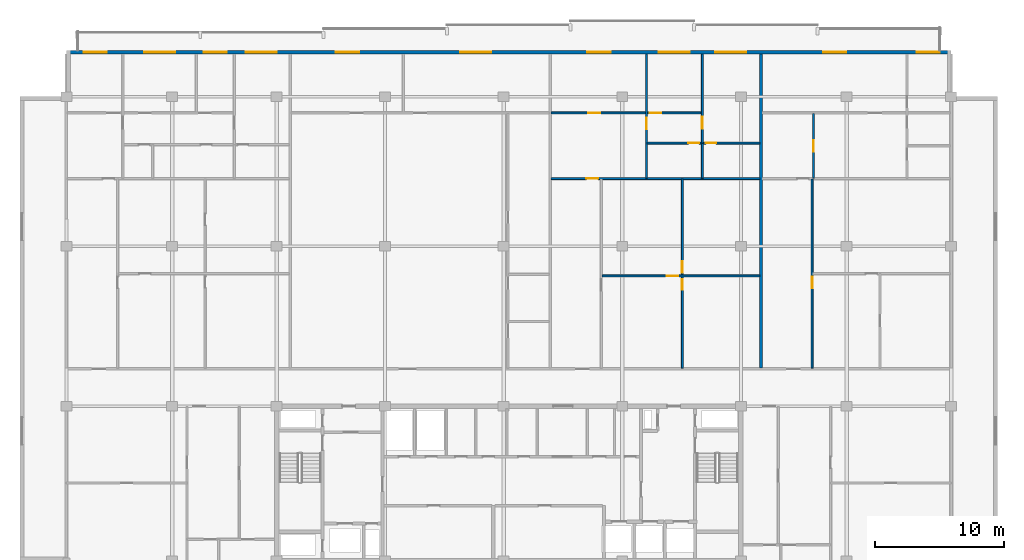
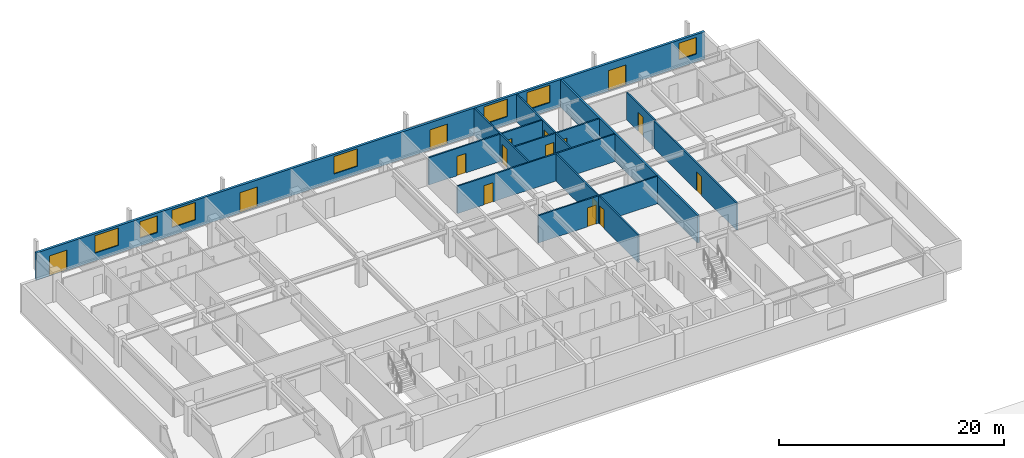
# One storey, part 8 of 11: 16 doors, 12 walls, 7 windows, 23 openings.
"""IFC4 building model written with IfcOpenShell, lengths in metres."""

from ifc_helpers import new_model, si_unit, direction, frame, frame_2d, origin, place, context, subcontext, project, spatial, rectangle, extrude, material, layer, layer_set, type_object, element, fill, save


model = new_model("IFC4")

# Units and contexts
model_context = context("Model", 3, precision=1e-05, world=origin(), true_north=direction((0.0, 1.0)))
body_context = subcontext(model_context, "Body", "Model", "MODEL_VIEW")
ifc_project = project(units=[si_unit("LENGTHUNIT", "METRE"), si_unit("AREAUNIT", "SQUARE_METRE"), si_unit("VOLUMEUNIT", "CUBIC_METRE"), si_unit("PLANEANGLEUNIT", "RADIAN"), si_unit("MASSUNIT", "GRAM", prefix="KILO")], contexts=[model_context])

# Site, building, storey
site_placement = place(None, origin())
site = spatial("IfcSite", under=ifc_project, at=site_placement, CompositionType="ELEMENT")
building_placement = place(site_placement, origin())
building = spatial("IfcBuilding", under=site, at=building_placement, Name="Korimba Cascade Residences", CompositionType="ELEMENT")
storey_placement = place(building_placement, frame((0.0, 0.0, 220.60009765625)))
storey = spatial("IfcBuildingStorey", under=building, at=storey_placement, Name="L64", CompositionType="ELEMENT", Elevation=220.60009765625)

# Wall, openings, doors, windows
ifc_material_1 = material(Name="Precast concrete C40/50", Category="concrete")
ifc_layer_1 = layer(ifc_material_1, 0.25)
ifc_layer_set_1 = layer_set([ifc_layer_1], Name="Precast concrete C40/50")
wall_type_1 = type_object("IfcWallType", Name="EW-LOG-250", PredefinedType="STANDARD", material=ifc_layer_set_1)
wall_1_placement = place(storey_placement, frame((128.39990234375, 94.64990234375, 0.0), z_axis=(0.0, 0.0, 1.0), x_axis=(-1.0, 0.0, 0.0)))
wall_1 = element("IfcWall", 1, at=wall_1_placement, inside=storey, type_object=wall_type_1, Name="L64 T1 Perimeter Stone Wall E06", PredefinedType="STANDARD", context=body_context, shape_type="SweptSolid", body=[
    extrude(rectangle(XDim=68.599853515625, YDim=0.25, at=frame_2d((34.2998046875, 0.0))), origin(), (0.0, 0.0, 1.0), 2.969970703125),
])
opening_1_placement = place(wall_1_placement, frame((60.175048828125, 0.0, 0.85009765625)))
opening_1 = element("IfcOpeningElement", 2, at=opening_1_placement, cuts=wall_1, Name="Opening W-01", PredefinedType="OPENING", context=body_context, shape_type="SweptSolid", body=[
    extrude(rectangle(XDim=2.39990234375, YDim=1.89990234375, at=frame_2d((1.199951171875, 0.949951171875))), frame((0.0, 0.135009765625, 0.0), z_axis=(0.0, -1.0, 0.0), x_axis=(1.0, 0.0, 0.0)), (0.0, 0.0, 1.0), 0.27001953125),
])
opening_2_placement = place(wall_1_placement, frame((56.152099609375, 0.0, 0.85009765625)))
opening_2 = element("IfcOpeningElement", 3, at=opening_2_placement, cuts=wall_1, Name="Opening W-02", PredefinedType="OPENING", context=body_context, shape_type="SweptSolid", body=[
    extrude(rectangle(XDim=1.800048828125, YDim=1.800048828125, at=frame_2d((0.89990234375, 0.89990234375))), frame((0.0, 0.135009765625, 0.0), z_axis=(0.0, -1.0, 0.0), x_axis=(1.0, 0.0, 0.0)), (0.0, 0.0, 1.0), 0.27001953125),
])
opening_3_placement = place(wall_1_placement, frame((65.455078125, 0.0, 0.0)))
opening_3 = element("IfcOpeningElement", 4, at=opening_3_placement, cuts=wall_1, Name="Opening D-LG1", PredefinedType="OPENING", context=body_context, shape_type="SweptSolid", body=[
    extrude(rectangle(XDim=1.800048828125, YDim=2.199951171875, at=frame_2d((0.89990234375, 1.10009765625))), frame((0.0, 0.135009765625, 0.0), z_axis=(0.0, -1.0, 0.0), x_axis=(1.0, 0.0, 0.0)), (0.0, 0.0, 1.0), 0.27001953125),
])
opening_4_placement = place(wall_1_placement, frame((52.279296875, 0.0, 0.85009765625)))
opening_4 = element("IfcOpeningElement", 5, at=opening_4_placement, cuts=wall_1, Name="Opening W-01", PredefinedType="OPENING", context=body_context, shape_type="SweptSolid", body=[
    extrude(rectangle(XDim=2.39990234375, YDim=1.89990234375, at=frame_2d((1.199951171875, 0.949951171875))), frame((0.0, 0.135009765625, 0.0), z_axis=(0.0, -1.0, 0.0), x_axis=(1.0, 0.0, 0.0)), (0.0, 0.0, 1.0), 0.27001953125),
])
opening_5_placement = place(wall_1_placement, frame((45.906982421875, 0.0, 0.0)))
opening_5 = element("IfcOpeningElement", 6, at=opening_5_placement, cuts=wall_1, Name="Opening D-LG1", PredefinedType="OPENING", context=body_context, shape_type="SweptSolid", body=[
    extrude(rectangle(XDim=1.800048828125, YDim=2.199951171875, at=frame_2d((0.89990234375, 1.10009765625))), frame((0.0, 0.135009765625, 0.0), z_axis=(0.0, -1.0, 0.0), x_axis=(1.0, 0.0, 0.0)), (0.0, 0.0, 1.0), 0.27001953125),
])
opening_6_placement = place(wall_1_placement, frame((35.6474609375, 0.0, 0.85009765625)))
opening_6 = element("IfcOpeningElement", 7, at=opening_6_placement, cuts=wall_1, Name="Opening W-01", PredefinedType="OPENING", context=body_context, shape_type="SweptSolid", body=[
    extrude(rectangle(XDim=2.39990234375, YDim=1.89990234375, at=frame_2d((1.199951171875, 0.949951171875))), frame((0.0, 0.135009765625, 0.0), z_axis=(0.0, -1.0, 0.0), x_axis=(1.0, 0.0, 0.0)), (0.0, 0.0, 1.0), 0.27001953125),
])
opening_7_placement = place(wall_1_placement, frame((20.2568359375, 0.0, 0.85009765625)))
opening_7 = element("IfcOpeningElement", 8, at=opening_7_placement, cuts=wall_1, Name="Opening W-01", PredefinedType="OPENING", context=body_context, shape_type="SweptSolid", body=[
    extrude(rectangle(XDim=2.39990234375, YDim=1.89990234375, at=frame_2d((1.199951171875, 0.949951171875))), frame((0.0, 0.135009765625, 0.0), z_axis=(0.0, -1.0, 0.0), x_axis=(1.0, 0.0, 0.0)), (0.0, 0.0, 1.0), 0.27001953125),
])
opening_8_placement = place(wall_1_placement, frame((26.397705078125, 0.0, 0.0)))
opening_8 = element("IfcOpeningElement", 9, at=opening_8_placement, cuts=wall_1, Name="Opening D-LG1", PredefinedType="OPENING", context=body_context, shape_type="SweptSolid", body=[
    extrude(rectangle(XDim=1.800048828125, YDim=2.199951171875, at=frame_2d((0.89990234375, 1.10009765625))), frame((0.0, 0.135009765625, 0.0), z_axis=(0.0, -1.0, 0.0), x_axis=(1.0, 0.0, 0.0)), (0.0, 0.0, 1.0), 0.27001953125),
])
opening_9_placement = place(wall_1_placement, frame((15.87890625, 0.0, 0.85009765625)))
opening_9 = element("IfcOpeningElement", 10, at=opening_9_placement, cuts=wall_1, Name="Opening W-01", PredefinedType="OPENING", context=body_context, shape_type="SweptSolid", body=[
    extrude(rectangle(XDim=2.39990234375, YDim=1.89990234375, at=frame_2d((1.199951171875, 0.949951171875))), frame((0.0, 0.135009765625, 0.0), z_axis=(0.0, -1.0, 0.0), x_axis=(1.0, 0.0, 0.0)), (0.0, 0.0, 1.0), 0.27001953125),
])
opening_10_placement = place(wall_1_placement, frame((8.121826171875, 0.0, 0.0)))
opening_10 = element("IfcOpeningElement", 11, at=opening_10_placement, cuts=wall_1, Name="Opening D-LG1", PredefinedType="OPENING", context=body_context, shape_type="SweptSolid", body=[
    extrude(rectangle(XDim=1.800048828125, YDim=2.199951171875, at=frame_2d((0.89990234375, 1.10009765625))), frame((0.0, 0.135009765625, 0.0), z_axis=(0.0, -1.0, 0.0), x_axis=(1.0, 0.0, 0.0)), (0.0, 0.0, 1.0), 0.27001953125),
])
opening_11_placement = place(wall_1_placement, frame((0.8701171875, 0.0, 0.85009765625)))
opening_11 = element("IfcOpeningElement", 12, at=opening_11_placement, cuts=wall_1, Name="Opening W-02", PredefinedType="OPENING", context=body_context, shape_type="SweptSolid", body=[
    extrude(rectangle(XDim=1.800048828125, YDim=1.800048828125, at=frame_2d((0.89990234375, 0.89990234375))), frame((0.0, 0.135009765625, 0.0), z_axis=(0.0, -1.0, 0.0), x_axis=(1.0, 0.0, 0.0)), (0.0, 0.0, 1.0), 0.27001953125),
])
ifc_material_2 = material(Name="Glazed Aluminium Loggia Sliding Door", Category="aluminium")
door_type_1 = type_object("IfcDoorType", Name="DR-EXT-LOG", OperationType="NOTDEFINED", PredefinedType="DOOR", material=ifc_material_2)
door_1_placement = place(opening_3_placement, origin())
door_1 = element("IfcDoor", 13, at=door_1_placement, inside=storey, type_object=door_type_1, Name="L64 T1 Loggia Sliding Door 5", OperationType="SLIDING_TO_LEFT", OverallHeight=2.199951171875, OverallWidth=1.800048828125, PredefinedType="DOOR", context=body_context, shape_type="SweptSolid", body=[
    extrude(rectangle(XDim=1.800048828125, YDim=2.199951171875, at=frame_2d((0.89990234375, 1.10009765625))), frame((0.0, 0.02490234375, 0.0), z_axis=(0.0, -1.0, 0.0), x_axis=(1.0, 0.0, 0.0)), (0.0, 0.0, 1.0), 0.050048828125),
])
fill(opening_3, door_1)
door_2_placement = place(opening_5_placement, origin())
door_2 = element("IfcDoor", 14, at=door_2_placement, inside=storey, type_object=door_type_1, Name="L64 T1 Loggia Sliding Door 7", OperationType="SLIDING_TO_LEFT", OverallHeight=2.199951171875, OverallWidth=1.800048828125, PredefinedType="DOOR", context=body_context, shape_type="SweptSolid", body=[
    extrude(rectangle(XDim=1.800048828125, YDim=2.199951171875, at=frame_2d((0.89990234375, 1.10009765625))), frame((0.0, 0.02490234375, 0.0), z_axis=(0.0, -1.0, 0.0), x_axis=(1.0, 0.0, 0.0)), (0.0, 0.0, 1.0), 0.050048828125),
])
fill(opening_5, door_2)
door_3_placement = place(opening_8_placement, origin())
door_3 = element("IfcDoor", 15, at=door_3_placement, inside=storey, type_object=door_type_1, Name="L64 T1 Loggia Sliding Door 10", OperationType="SLIDING_TO_LEFT", OverallHeight=2.199951171875, OverallWidth=1.800048828125, PredefinedType="DOOR", context=body_context, shape_type="SweptSolid", body=[
    extrude(rectangle(XDim=1.800048828125, YDim=2.199951171875, at=frame_2d((0.89990234375, 1.10009765625))), frame((0.0, 0.02490234375, 0.0), z_axis=(0.0, -1.0, 0.0), x_axis=(1.0, 0.0, 0.0)), (0.0, 0.0, 1.0), 0.050048828125),
])
fill(opening_8, door_3)
door_4_placement = place(opening_10_placement, origin())
door_4 = element("IfcDoor", 16, at=door_4_placement, inside=storey, type_object=door_type_1, Name="L64 T1 Loggia Sliding Door 12", OperationType="SLIDING_TO_LEFT", OverallHeight=2.199951171875, OverallWidth=1.800048828125, PredefinedType="DOOR", context=body_context, shape_type="SweptSolid", body=[
    extrude(rectangle(XDim=1.800048828125, YDim=2.199951171875, at=frame_2d((0.89990234375, 1.10009765625))), frame((0.0, 0.02490234375, 0.0), z_axis=(0.0, -1.0, 0.0), x_axis=(1.0, 0.0, 0.0)), (0.0, 0.0, 1.0), 0.050048828125),
])
fill(opening_10, door_4)
ifc_material_3 = material(Name="Double-Glazed Aluminium Window", Category="aluminium")
window_type_1 = type_object("IfcWindowType", Name="WIN-BED-1800", PartitioningType="SINGLE_PANEL", PredefinedType="WINDOW", material=ifc_material_3)
window_1_placement = place(opening_2_placement, origin())
window_1 = element("IfcWindow", 17, at=window_1_placement, inside=storey, type_object=window_type_1, Name="L64 T1 North Facade Window 4", OverallHeight=1.800048828125, OverallWidth=1.800048828125, PartitioningType="SINGLE_PANEL", PredefinedType="WINDOW", context=body_context, shape_type="SweptSolid", body=[
    extrude(rectangle(XDim=1.800048828125, YDim=1.800048828125, at=frame_2d((0.89990234375, 0.89990234375))), frame((0.0, 0.030029296875, 0.0), z_axis=(0.0, -1.0, 0.0), x_axis=(1.0, 0.0, 0.0)), (0.0, 0.0, 1.0), 0.06005859375),
])
fill(opening_2, window_1)
window_2_placement = place(opening_11_placement, origin())
window_2 = element("IfcWindow", 18, at=window_2_placement, inside=storey, type_object=window_type_1, Name="L64 T1 North Facade Window 13", OverallHeight=1.800048828125, OverallWidth=1.800048828125, PartitioningType="SINGLE_PANEL", PredefinedType="WINDOW", context=body_context, shape_type="SweptSolid", body=[
    extrude(rectangle(XDim=1.800048828125, YDim=1.800048828125, at=frame_2d((0.89990234375, 0.89990234375))), frame((0.0, 0.030029296875, 0.0), z_axis=(0.0, -1.0, 0.0), x_axis=(1.0, 0.0, 0.0)), (0.0, 0.0, 1.0), 0.06005859375),
])
fill(opening_11, window_2)
window_type_2 = type_object("IfcWindowType", Name="WIN-RES-2400", PartitioningType="DOUBLE_PANEL_VERTICAL", PredefinedType="WINDOW", material=ifc_material_3)
window_3_placement = place(opening_1_placement, origin())
window_3 = element("IfcWindow", 19, at=window_3_placement, inside=storey, type_object=window_type_2, Name="L64 T1 North Facade Window 3", OverallHeight=1.89990234375, OverallWidth=2.39990234375, PartitioningType="DOUBLE_PANEL_VERTICAL", PredefinedType="WINDOW", context=body_context, shape_type="SweptSolid", body=[
    extrude(rectangle(XDim=2.39990234375, YDim=1.89990234375, at=frame_2d((1.199951171875, 0.949951171875))), frame((0.0, 0.030029296875, 0.0), z_axis=(0.0, -1.0, 0.0), x_axis=(1.0, 0.0, 0.0)), (0.0, 0.0, 1.0), 0.06005859375),
])
fill(opening_1, window_3)
window_4_placement = place(opening_4_placement, origin())
window_4 = element("IfcWindow", 20, at=window_4_placement, inside=storey, type_object=window_type_2, Name="L64 T1 North Facade Window 6", OverallHeight=1.89990234375, OverallWidth=2.39990234375, PartitioningType="DOUBLE_PANEL_VERTICAL", PredefinedType="WINDOW", context=body_context, shape_type="SweptSolid", body=[
    extrude(rectangle(XDim=2.39990234375, YDim=1.89990234375, at=frame_2d((1.199951171875, 0.949951171875))), frame((0.0, 0.030029296875, 0.0), z_axis=(0.0, -1.0, 0.0), x_axis=(1.0, 0.0, 0.0)), (0.0, 0.0, 1.0), 0.06005859375),
])
fill(opening_4, window_4)
window_5_placement = place(opening_6_placement, origin())
window_5 = element("IfcWindow", 21, at=window_5_placement, inside=storey, type_object=window_type_2, Name="L64 T1 North Facade Window 8", OverallHeight=1.89990234375, OverallWidth=2.39990234375, PartitioningType="DOUBLE_PANEL_VERTICAL", PredefinedType="WINDOW", context=body_context, shape_type="SweptSolid", body=[
    extrude(rectangle(XDim=2.39990234375, YDim=1.89990234375, at=frame_2d((1.199951171875, 0.949951171875))), frame((0.0, 0.030029296875, 0.0), z_axis=(0.0, -1.0, 0.0), x_axis=(1.0, 0.0, 0.0)), (0.0, 0.0, 1.0), 0.06005859375),
])
fill(opening_6, window_5)
window_6_placement = place(opening_7_placement, origin())
window_6 = element("IfcWindow", 22, at=window_6_placement, inside=storey, type_object=window_type_2, Name="L64 T1 North Facade Window 9", OverallHeight=1.89990234375, OverallWidth=2.39990234375, PartitioningType="DOUBLE_PANEL_VERTICAL", PredefinedType="WINDOW", context=body_context, shape_type="SweptSolid", body=[
    extrude(rectangle(XDim=2.39990234375, YDim=1.89990234375, at=frame_2d((1.199951171875, 0.949951171875))), frame((0.0, 0.030029296875, 0.0), z_axis=(0.0, -1.0, 0.0), x_axis=(1.0, 0.0, 0.0)), (0.0, 0.0, 1.0), 0.06005859375),
])
fill(opening_7, window_6)
window_7_placement = place(opening_9_placement, origin())
window_7 = element("IfcWindow", 23, at=window_7_placement, inside=storey, type_object=window_type_2, Name="L64 T1 North Facade Window 11", OverallHeight=1.89990234375, OverallWidth=2.39990234375, PartitioningType="DOUBLE_PANEL_VERTICAL", PredefinedType="WINDOW", context=body_context, shape_type="SweptSolid", body=[
    extrude(rectangle(XDim=2.39990234375, YDim=1.89990234375, at=frame_2d((1.199951171875, 0.949951171875))), frame((0.0, 0.030029296875, 0.0), z_axis=(0.0, -1.0, 0.0), x_axis=(1.0, 0.0, 0.0)), (0.0, 0.0, 1.0), 0.06005859375),
])
fill(opening_9, window_7)

# Wall
ifc_layer_2 = layer(ifc_material_1, 0.199951171875)
ifc_layer_set_2 = layer_set([ifc_layer_2], Name="Precast concrete C40/50")
wall_type_2 = type_object("IfcWallType", Name="WAL-IT-200", PredefinedType="PARTITIONING", material=ifc_layer_set_2)
wall_2_placement = place(storey_placement, frame((113.65625, 70.179931640625, 0.0), z_axis=(0.0, 0.0, 1.0), x_axis=(0.0, 1.0, 0.0)))
element("IfcWall", 24, at=wall_2_placement, inside=storey, type_object=wall_type_2, Name="L64 Partition Wall WAL-L64-T1-DEM-3", PredefinedType="PARTITIONING", context=body_context, shape_type="SweptSolid", body=[
    extrude(rectangle(XDim=24.320068359375, YDim=0.199951171875, at=frame_2d((12.16015625, 0.0))), origin(), (0.0, 0.0, 1.0), 2.969970703125),
])

# Wall, openings, doors
ifc_material_4 = material(Name="Insulated Acoustic Stud Partition", Category="gypsum")
ifc_layer_3 = layer(ifc_material_4, 0.14990234375)
ifc_layer_set_3 = layer_set([ifc_layer_3], Name="Insulated Acoustic Stud Partition")
wall_type_3 = type_object("IfcWallType", Name="WAL-PART-150", PredefinedType="PARTITIONING", material=ifc_layer_set_3)
wall_3_placement = place(storey_placement, frame((107.555419921875, 70.159912109375, 0.0), z_axis=(0.0, 0.0, 1.0), x_axis=(0.0, 1.0, 0.0)))
wall_3 = element("IfcWall", 25, at=wall_3_placement, inside=storey, type_object=wall_type_3, Name="L64 Partition Wall WAL-L64-T1-U03-FMV", PredefinedType="PARTITIONING", context=body_context, shape_type="SweptSolid", body=[
    extrude(rectangle(XDim=14.650146484375, YDim=0.14990234375, at=frame_2d((7.3251953125, 0.0))), origin(), (0.0, 0.0, 1.0), 2.969970703125),
])
opening_12_placement = place(wall_3_placement, frame((6.054931640625, 0.0, 0.0)))
opening_12 = element("IfcOpeningElement", 26, at=opening_12_placement, cuts=wall_3, Name="Opening D-BT1", PredefinedType="OPENING", context=body_context, shape_type="SweptSolid", body=[
    extrude(rectangle(XDim=0.840087890625, YDim=2.0400390625, at=frame_2d((0.419921875, 1.02001953125))), frame((0.0, 0.0849609375, 0.0), z_axis=(0.0, -1.0, 0.0), x_axis=(1.0, 0.0, 0.0)), (0.0, 0.0, 1.0), 0.169921875),
])
opening_13_placement = place(wall_3_placement, frame((7.39501953125, 0.0, 0.0)))
opening_13 = element("IfcOpeningElement", 27, at=opening_13_placement, cuts=wall_3, Name="Opening D-IN2", PredefinedType="OPENING", context=body_context, shape_type="SweptSolid", body=[
    extrude(rectangle(XDim=0.8798828125, YDim=2.06005859375, at=frame_2d((0.43994140625, 1.030029296875))), frame((0.0, 0.0849609375, 0.0), z_axis=(0.0, -1.0, 0.0), x_axis=(1.0, 0.0, 0.0)), (0.0, 0.0, 1.0), 0.169921875),
])
ifc_material_5 = material(Name="Moisture-Resistant Bathroom Timber Door", Category="wood")
door_type_2 = type_object("IfcDoorType", Name="DR-INT-850", OperationType="NOTDEFINED", PredefinedType="DOOR", material=ifc_material_5)
door_5_placement = place(opening_12_placement, origin())
door_5 = element("IfcDoor", 28, at=door_5_placement, inside=storey, type_object=door_type_2, Name="L64-T1-U03 Wardrobe Door", OperationType="SINGLE_SWING_LEFT", OverallHeight=2.0400390625, OverallWidth=0.840087890625, PredefinedType="DOOR", context=body_context, shape_type="SweptSolid", body=[
    extrude(rectangle(XDim=0.840087890625, YDim=2.0400390625, at=frame_2d((0.419921875, 1.02001953125))), frame((0.0, 0.02490234375, 0.0), z_axis=(0.0, -1.0, 0.0), x_axis=(1.0, 0.0, 0.0)), (0.0, 0.0, 1.0), 0.050048828125),
])
fill(opening_12, door_5)
ifc_material_6 = material(Name="Acoustic Timber Bedroom Door", Category="wood")
door_type_3 = type_object("IfcDoorType", Name="DR-INT-880", OperationType="NOTDEFINED", PredefinedType="DOOR", material=ifc_material_6)
door_6_placement = place(opening_13_placement, origin())
door_6 = element("IfcDoor", 29, at=door_6_placement, inside=storey, type_object=door_type_3, Name="L64-T1-U03 Music Lounge Door", OperationType="SINGLE_SWING_RIGHT", OverallHeight=2.06005859375, OverallWidth=0.8798828125, PredefinedType="DOOR", context=body_context, shape_type="SweptSolid", body=[
    extrude(rectangle(XDim=0.8798828125, YDim=2.06005859375, at=frame_2d((0.43994140625, 1.030029296875))), frame((0.0, 0.02490234375, 0.0), z_axis=(0.0, -1.0, 0.0), x_axis=(1.0, 0.0, 0.0)), (0.0, 0.0, 1.0), 0.050048828125),
])
fill(opening_13, door_6)

# Wall, opening, door
wall_4_placement = place(storey_placement, frame((101.334716796875, 77.304931640625, 0.0), z_axis=(0.0, 0.0, 1.0), x_axis=(1.0, 0.0, 0.0)))
wall_4 = element("IfcWall", 30, at=wall_4_placement, inside=storey, type_object=wall_type_3, Name="L64 Partition Wall WAL-L64-T1-U03-FMH", PredefinedType="PARTITIONING", context=body_context, shape_type="SweptSolid", body=[
    extrude(rectangle(XDim=12.241455078125, YDim=0.14990234375, at=frame_2d((6.12060546875, 0.0))), origin(), (0.0, 0.0, 1.0), 2.969970703125),
])
opening_14_placement = place(wall_4_placement, frame((5.025390625, 0.0, 0.0)))
opening_14 = element("IfcOpeningElement", 31, at=opening_14_placement, cuts=wall_4, Name="Opening D-IN2", PredefinedType="OPENING", context=body_context, shape_type="SweptSolid", body=[
    extrude(rectangle(XDim=0.8798828125, YDim=2.06005859375, at=frame_2d((0.43994140625, 1.030029296875))), frame((0.0, 0.0849609375, 0.0), z_axis=(0.0, -1.0, 0.0), x_axis=(1.0, 0.0, 0.0)), (0.0, 0.0, 1.0), 0.169921875),
])
door_7_placement = place(opening_14_placement, origin())
door_7 = element("IfcDoor", 32, at=door_7_placement, inside=storey, type_object=door_type_3, Name="L64-T1-U03 Library Salon Door", OperationType="SINGLE_SWING_LEFT", OverallHeight=2.06005859375, OverallWidth=0.8798828125, PredefinedType="DOOR", context=body_context, shape_type="SweptSolid", body=[
    extrude(rectangle(XDim=0.8798828125, YDim=2.06005859375, at=frame_2d((0.43994140625, 1.030029296875))), frame((0.0, 0.02490234375, 0.0), z_axis=(0.0, -1.0, 0.0), x_axis=(1.0, 0.0, 0.0)), (0.0, 0.0, 1.0), 0.050048828125),
])
fill(opening_14, door_7)

wall_5_placement = place(storey_placement, frame((104.780029296875, 84.889892578125, 0.0), z_axis=(0.0, 0.0, 1.0), x_axis=(0.0, 1.0, 0.0)))
wall_5 = element("IfcWall", 33, at=wall_5_placement, inside=storey, type_object=wall_type_3, Name="L64 Partition Wall WAL-L64-T1-U03-V1", PredefinedType="PARTITIONING", context=body_context, shape_type="SweptSolid", body=[
    extrude(rectangle(XDim=9.610107421875, YDim=0.14990234375, at=frame_2d((4.80517578125, 0.0))), origin(), (0.0, 0.0, 1.0), 2.969970703125),
])
opening_15_placement = place(wall_5_placement, frame((3.770263671875, 0.0, 0.0)))
opening_15 = element("IfcOpeningElement", 34, at=opening_15_placement, cuts=wall_5, Name="Opening D-IN1", PredefinedType="OPENING", context=body_context, shape_type="SweptSolid", body=[
    extrude(rectangle(XDim=0.919921875, YDim=2.080078125, at=frame_2d((0.4599609375, 1.0400390625))), frame((0.0, 0.0849609375, 0.0), z_axis=(0.0, -1.0, 0.0), x_axis=(1.0, 0.0, 0.0)), (0.0, 0.0, 1.0), 0.169921875),
])
ifc_material_7 = material(Name="Acoustic Timber Living Door", Category="wood")
door_type_4 = type_object("IfcDoorType", Name="DR-INT-920", OperationType="NOTDEFINED", PredefinedType="DOOR", material=ifc_material_7)
door_8_placement = place(opening_15_placement, origin())
door_8 = element("IfcDoor", 35, at=door_8_placement, inside=storey, type_object=door_type_4, Name="L64-T1-U03 Hallway Door", OperationType="SINGLE_SWING_LEFT", OverallHeight=2.080078125, OverallWidth=0.919921875, PredefinedType="DOOR", context=body_context, shape_type="SweptSolid", body=[
    extrude(rectangle(XDim=0.919921875, YDim=2.080078125, at=frame_2d((0.4599609375, 1.0400390625))), frame((0.0, 0.02490234375, 0.0), z_axis=(0.0, -1.0, 0.0), x_axis=(1.0, 0.0, 0.0)), (0.0, 0.0, 1.0), 0.050048828125),
])
fill(opening_15, door_8)

# Wall
wall_6_placement = place(storey_placement, frame((109.106201171875, 84.889892578125, 0.0), z_axis=(0.0, 0.0, 1.0), x_axis=(0.0, 1.0, 0.0)))
element("IfcWall", 36, at=wall_6_placement, inside=storey, type_object=wall_type_3, Name="L64 Partition Wall WAL-L64-T1-U03-VBATH", PredefinedType="PARTITIONING", context=body_context, shape_type="SweptSolid", body=[
    extrude(rectangle(XDim=2.690185546875, YDim=0.14990234375, at=frame_2d((1.34521484375, 0.0))), origin(), (0.0, 0.0, 1.0), 2.969970703125),
])

# Wall, opening, door
wall_7_placement = place(storey_placement, frame((109.106201171875, 87.6201171875, 0.0), z_axis=(0.0, 0.0, 1.0), x_axis=(0.0, 1.0, 0.0)))
wall_7 = element("IfcWall", 37, at=wall_7_placement, inside=storey, type_object=wall_type_3, Name="L64 Partition Wall WAL-L64-T1-U03-V2FULL", PredefinedType="PARTITIONING", context=body_context, shape_type="SweptSolid", body=[
    extrude(rectangle(XDim=6.8798828125, YDim=0.14990234375, at=frame_2d((3.43994140625, 0.0))), origin(), (0.0, 0.0, 1.0), 2.969970703125),
])
opening_16_placement = place(wall_7_placement, frame((1.090087890625, 0.0, 0.0)))
opening_16 = element("IfcOpeningElement", 38, at=opening_16_placement, cuts=wall_7, Name="Opening D-IN1", PredefinedType="OPENING", context=body_context, shape_type="SweptSolid", body=[
    extrude(rectangle(XDim=0.919921875, YDim=2.080078125, at=frame_2d((0.4599609375, 1.0400390625))), frame((0.0, 0.0849609375, 0.0), z_axis=(0.0, -1.0, 0.0), x_axis=(1.0, 0.0, 0.0)), (0.0, 0.0, 1.0), 0.169921875),
])
door_9_placement = place(opening_16_placement, origin())
door_9 = element("IfcDoor", 39, at=door_9_placement, inside=storey, type_object=door_type_4, Name="L64-T1-U03 Master Bedroom Door", OperationType="SINGLE_SWING_RIGHT", OverallHeight=2.080078125, OverallWidth=0.919921875, PredefinedType="DOOR", context=body_context, shape_type="SweptSolid", body=[
    extrude(rectangle(XDim=0.919921875, YDim=2.080078125, at=frame_2d((0.4599609375, 1.0400390625))), frame((0.0, 0.02490234375, 0.0), z_axis=(0.0, -1.0, 0.0), x_axis=(1.0, 0.0, 0.0)), (0.0, 0.0, 1.0), 0.050048828125),
])
fill(opening_16, door_9)

# Wall, openings, doors
wall_8_placement = place(storey_placement, frame((104.820068359375, 87.60009765625, 0.0), z_axis=(0.0, 0.0, 1.0), x_axis=(1.0, 0.0, 0.0)))
wall_8 = element("IfcWall", 40, at=wall_8_placement, inside=storey, type_object=wall_type_3, Name="L64 Partition Wall WAL-L64-T1-U03-HWALL", PredefinedType="PARTITIONING", context=body_context, shape_type="SweptSolid", body=[
    extrude(rectangle(XDim=8.756103515625, YDim=0.14990234375, at=frame_2d((4.3779296875, 0.0))), origin(), (0.0, 0.0, 1.0), 2.969970703125),
])
opening_17_placement = place(wall_8_placement, frame((3.1962890625, 0.0, 0.0)))
opening_17 = element("IfcOpeningElement", 41, at=opening_17_placement, cuts=wall_8, Name="Opening D-BT1", PredefinedType="OPENING", context=body_context, shape_type="SweptSolid", body=[
    extrude(rectangle(XDim=0.840087890625, YDim=2.0400390625, at=frame_2d((0.419921875, 1.02001953125))), frame((0.0, 0.0849609375, 0.0), z_axis=(0.0, -1.0, 0.0), x_axis=(1.0, 0.0, 0.0)), (0.0, 0.0, 1.0), 0.169921875),
])
opening_18_placement = place(wall_8_placement, frame((4.5361328125, 0.0, 0.0)))
opening_18 = element("IfcOpeningElement", 42, at=opening_18_placement, cuts=wall_8, Name="Opening D-BT1", PredefinedType="OPENING", context=body_context, shape_type="SweptSolid", body=[
    extrude(rectangle(XDim=0.840087890625, YDim=2.0400390625, at=frame_2d((0.419921875, 1.02001953125))), frame((0.0, 0.0849609375, 0.0), z_axis=(0.0, -1.0, 0.0), x_axis=(1.0, 0.0, 0.0)), (0.0, 0.0, 1.0), 0.169921875),
])
door_10_placement = place(opening_17_placement, origin())
door_10 = element("IfcDoor", 43, at=door_10_placement, inside=storey, type_object=door_type_2, Name="L64-T1-U03 Family Bathroom Door", OperationType="SINGLE_SWING_LEFT", OverallHeight=2.0400390625, OverallWidth=0.840087890625, PredefinedType="DOOR", context=body_context, shape_type="SweptSolid", body=[
    extrude(rectangle(XDim=0.840087890625, YDim=2.0400390625, at=frame_2d((0.419921875, 1.02001953125))), frame((0.0, 0.02490234375, 0.0), z_axis=(0.0, -1.0, 0.0), x_axis=(1.0, 0.0, 0.0)), (0.0, 0.0, 1.0), 0.050048828125),
])
fill(opening_17, door_10)
door_11_placement = place(opening_18_placement, origin())
door_11 = element("IfcDoor", 44, at=door_11_placement, inside=storey, type_object=door_type_2, Name="L64-T1-U03 En-Suite Door", OperationType="SINGLE_SWING_RIGHT", OverallHeight=2.0400390625, OverallWidth=0.840087890625, PredefinedType="DOOR", context=body_context, shape_type="SweptSolid", body=[
    extrude(rectangle(XDim=0.840087890625, YDim=2.0400390625, at=frame_2d((0.419921875, 1.02001953125))), frame((0.0, 0.02490234375, 0.0), z_axis=(0.0, -1.0, 0.0), x_axis=(1.0, 0.0, 0.0)), (0.0, 0.0, 1.0), 0.050048828125),
])
fill(opening_18, door_11)

# Wall, opening, door
wall_9_placement = place(storey_placement, frame((97.384765625, 84.85009765625, 0.0), z_axis=(0.0, 0.0, 1.0), x_axis=(1.0, 0.0, 0.0)))
wall_9 = element("IfcWall", 45, at=wall_9_placement, inside=storey, type_object=wall_type_3, Name="L64 Partition Wall WAL-L64-T1-U03-MW", PredefinedType="PARTITIONING", context=body_context, shape_type="SweptSolid", body=[
    extrude(rectangle(XDim=16.19140625, YDim=0.14990234375, at=frame_2d((8.095703125, 0.0))), origin(), (0.0, 0.0, 1.0), 2.969970703125),
])
opening_19_placement = place(wall_9_placement, frame((2.719970703125, 0.0, 0.0)))
opening_19 = element("IfcOpeningElement", 46, at=opening_19_placement, cuts=wall_9, Name="Opening D-IN1", PredefinedType="OPENING", context=body_context, shape_type="SweptSolid", body=[
    extrude(rectangle(XDim=0.919921875, YDim=2.080078125, at=frame_2d((0.4599609375, 1.0400390625))), frame((0.0, 0.0849609375, 0.0), z_axis=(0.0, -1.0, 0.0), x_axis=(1.0, 0.0, 0.0)), (0.0, 0.0, 1.0), 0.169921875),
])
door_12_placement = place(opening_19_placement, origin())
door_12 = element("IfcDoor", 47, at=door_12_placement, inside=storey, type_object=door_type_4, Name="L64-T1-U03 Kitchen Door", OperationType="SINGLE_SWING_LEFT", OverallHeight=2.080078125, OverallWidth=0.919921875, PredefinedType="DOOR", context=body_context, shape_type="SweptSolid", body=[
    extrude(rectangle(XDim=0.919921875, YDim=2.080078125, at=frame_2d((0.4599609375, 1.0400390625))), frame((0.0, 0.02490234375, 0.0), z_axis=(0.0, -1.0, 0.0), x_axis=(1.0, 0.0, 0.0)), (0.0, 0.0, 1.0), 0.050048828125),
])
fill(opening_19, door_12)

# Wall, openings, doors
wall_10_placement = place(storey_placement, frame((97.384765625, 89.949951171875, 0.0), z_axis=(0.0, 0.0, 1.0), x_axis=(1.0, 0.0, 0.0)))
wall_10 = element("IfcWall", 48, at=wall_10_placement, inside=storey, type_object=wall_type_3, Name="L64 Partition Wall WAL-L64-T1-U03-HZ", PredefinedType="PARTITIONING", context=body_context, shape_type="SweptSolid", body=[
    extrude(rectangle(XDim=11.721435546875, YDim=0.14990234375, at=frame_2d((5.86083984375, 0.0))), origin(), (0.0, 0.0, 1.0), 2.969970703125),
])
opening_20_placement = place(wall_10_placement, frame((2.870361328125, 0.0, 0.0)))
opening_20 = element("IfcOpeningElement", 49, at=opening_20_placement, cuts=wall_10, Name="Opening D-IN0", PredefinedType="OPENING", context=body_context, shape_type="SweptSolid", body=[
    extrude(rectangle(XDim=0.93994140625, YDim=2.10009765625, at=frame_2d((0.469970703125, 1.050048828125))), frame((0.0, 0.0849609375, 0.0), z_axis=(0.0, -1.0, 0.0), x_axis=(1.0, 0.0, 0.0)), (0.0, 0.0, 1.0), 0.169921875),
])
opening_21_placement = place(wall_10_placement, frame((7.645263671875, 0.0, 0.0)))
opening_21 = element("IfcOpeningElement", 50, at=opening_21_placement, cuts=wall_10, Name="Opening D-IN2", PredefinedType="OPENING", context=body_context, shape_type="SweptSolid", body=[
    extrude(rectangle(XDim=0.8798828125, YDim=2.06005859375, at=frame_2d((0.43994140625, 1.030029296875))), frame((0.0, 0.0849609375, 0.0), z_axis=(0.0, -1.0, 0.0), x_axis=(1.0, 0.0, 0.0)), (0.0, 0.0, 1.0), 0.169921875),
])
door_13_placement = place(opening_21_placement, origin())
door_13 = element("IfcDoor", 51, at=door_13_placement, inside=storey, type_object=door_type_3, Name="L64-T1-U03 Bedroom 2 Door", OperationType="SINGLE_SWING_LEFT", OverallHeight=2.06005859375, OverallWidth=0.8798828125, PredefinedType="DOOR", context=body_context, shape_type="SweptSolid", body=[
    extrude(rectangle(XDim=0.8798828125, YDim=2.06005859375, at=frame_2d((0.43994140625, 1.030029296875))), frame((0.0, 0.02490234375, 0.0), z_axis=(0.0, -1.0, 0.0), x_axis=(1.0, 0.0, 0.0)), (0.0, 0.0, 1.0), 0.050048828125),
])
fill(opening_21, door_13)
ifc_material_8 = material(Name="Acoustic Timber Living Archway Door", Category="wood")
door_type_5 = type_object("IfcDoorType", Name="DR-INT-950", OperationType="NOTDEFINED", PredefinedType="DOOR", material=ifc_material_8)
door_14_placement = place(opening_20_placement, origin())
door_14 = element("IfcDoor", 52, at=door_14_placement, inside=storey, type_object=door_type_5, Name="L64-T1-U03 Living Room Door", OperationType="SINGLE_SWING_RIGHT", OverallHeight=2.10009765625, OverallWidth=0.93994140625, PredefinedType="DOOR", context=body_context, shape_type="SweptSolid", body=[
    extrude(rectangle(XDim=0.93994140625, YDim=2.10009765625, at=frame_2d((0.469970703125, 1.050048828125))), frame((0.0, 0.02490234375, 0.0), z_axis=(0.0, -1.0, 0.0), x_axis=(1.0, 0.0, 0.0)), (0.0, 0.0, 1.0), 0.050048828125),
])
fill(opening_20, door_14)

# Wall, opening, door
wall_11_placement = place(storey_placement, frame((117.626220703125, 70.159912109375, 0.0), z_axis=(0.0, 0.0, 1.0), x_axis=(0.0, 1.0, 0.0)))
wall_11 = element("IfcWall", 53, at=wall_11_placement, inside=storey, type_object=wall_type_3, Name="L64 Partition Wall WAL-L64-T1-U04-FV", PredefinedType="PARTITIONING", context=body_context, shape_type="SweptSolid", body=[
    extrude(rectangle(XDim=14.650146484375, YDim=0.14990234375, at=frame_2d((7.3251953125, 0.0))), origin(), (0.0, 0.0, 1.0), 2.969970703125),
])
opening_22_placement = place(wall_11_placement, frame((6.195068359375, 0.0, 0.0)))
opening_22 = element("IfcOpeningElement", 54, at=opening_22_placement, cuts=wall_11, Name="Opening D-IN2", PredefinedType="OPENING", context=body_context, shape_type="SweptSolid", body=[
    extrude(rectangle(XDim=0.8798828125, YDim=2.06005859375, at=frame_2d((0.43994140625, 1.030029296875))), frame((0.0, 0.0849609375, 0.0), z_axis=(0.0, -1.0, 0.0), x_axis=(1.0, 0.0, 0.0)), (0.0, 0.0, 1.0), 0.169921875),
])
door_15_placement = place(opening_22_placement, origin())
door_15 = element("IfcDoor", 55, at=door_15_placement, inside=storey, type_object=door_type_3, Name="L64-T1-U04 Media Lounge Door", OperationType="SINGLE_SWING_RIGHT", OverallHeight=2.06005859375, OverallWidth=0.8798828125, PredefinedType="DOOR", context=body_context, shape_type="SweptSolid", body=[
    extrude(rectangle(XDim=0.8798828125, YDim=2.06005859375, at=frame_2d((0.43994140625, 1.030029296875))), frame((0.0, 0.02490234375, 0.0), z_axis=(0.0, -1.0, 0.0), x_axis=(1.0, 0.0, 0.0)), (0.0, 0.0, 1.0), 0.050048828125),
])
fill(opening_22, door_15)

wall_12_placement = place(storey_placement, frame((117.726318359375, 84.889892578125, 0.0), z_axis=(0.0, 0.0, 1.0), x_axis=(0.0, 1.0, 0.0)))
wall_12 = element("IfcWall", 56, at=wall_12_placement, inside=storey, type_object=wall_type_3, Name="L64 Partition Wall WAL-L64-T1-U04-VDIN", PredefinedType="PARTITIONING", context=body_context, shape_type="SweptSolid", body=[
    extrude(rectangle(XDim=5.0, YDim=0.14990234375, at=frame_2d((2.5, 0.0))), origin(), (0.0, 0.0, 1.0), 2.969970703125),
])
opening_23_placement = place(wall_12_placement, frame((2.06005859375, 0.0, 0.0)))
opening_23 = element("IfcOpeningElement", 57, at=opening_23_placement, cuts=wall_12, Name="Opening D-IN2", PredefinedType="OPENING", context=body_context, shape_type="SweptSolid", body=[
    extrude(rectangle(XDim=0.8798828125, YDim=2.06005859375, at=frame_2d((0.43994140625, 1.030029296875))), frame((0.0, 0.0849609375, 0.0), z_axis=(0.0, -1.0, 0.0), x_axis=(1.0, 0.0, 0.0)), (0.0, 0.0, 1.0), 0.169921875),
])
door_16_placement = place(opening_23_placement, origin())
door_16 = element("IfcDoor", 58, at=door_16_placement, inside=storey, type_object=door_type_3, Name="L64-T1-U04 Dining Room Door", OperationType="SINGLE_SWING_LEFT", OverallHeight=2.06005859375, OverallWidth=0.8798828125, PredefinedType="DOOR", context=body_context, shape_type="SweptSolid", body=[
    extrude(rectangle(XDim=0.8798828125, YDim=2.06005859375, at=frame_2d((0.43994140625, 1.030029296875))), frame((0.0, 0.02490234375, 0.0), z_axis=(0.0, -1.0, 0.0), x_axis=(1.0, 0.0, 0.0)), (0.0, 0.0, 1.0), 0.050048828125),
])
fill(opening_23, door_16)

save(model, "model.ifc")
